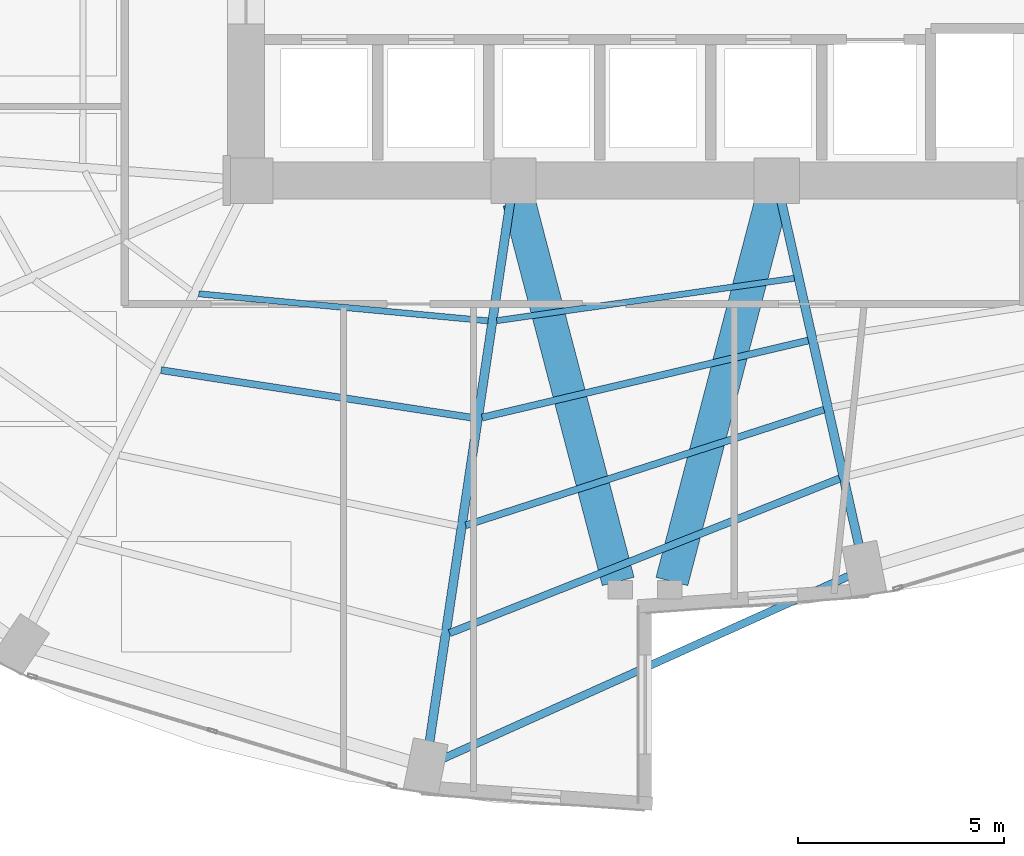
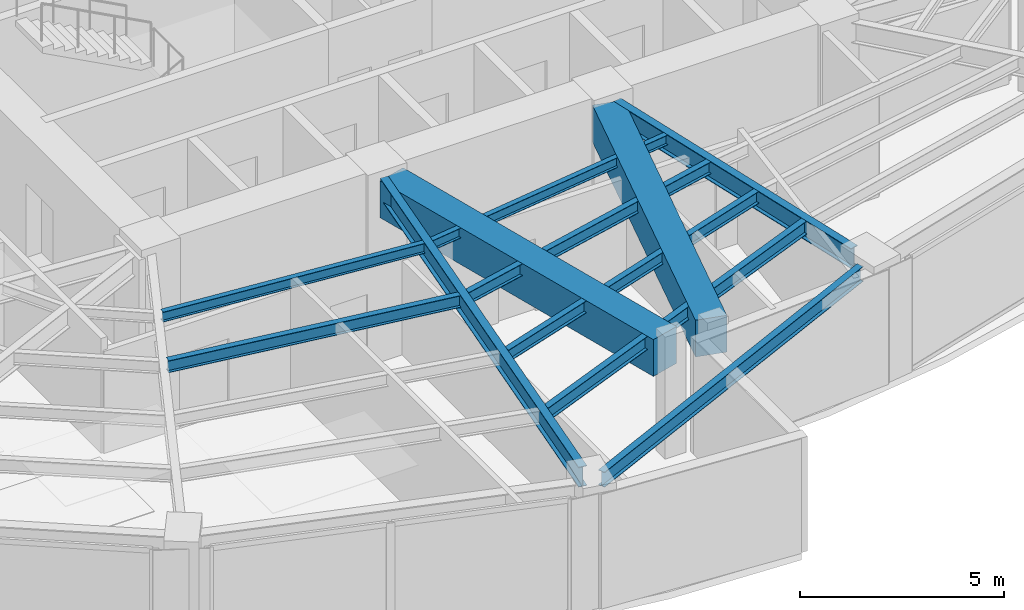
# One storey, part 6 of 24: 11 beams.
"""IFC4 building model written with IfcOpenShell, lengths in metres."""

from ifc_helpers import new_model, si_unit, direction, frame, origin, origin_2d, place, context, subcontext, project, spatial, rectangle, i_section, extrude, material, material_profile, profile_set, type_object, element, save


model = new_model("IFC4")

# Units and contexts
model_context = context("Model", 3, precision=1e-05, world=origin(), true_north=direction((0.0, 1.0)))
body_context = subcontext(model_context, "Body", "Model", "MODEL_VIEW")
ifc_project = project(units=[si_unit("LENGTHUNIT", "METRE"), si_unit("AREAUNIT", "SQUARE_METRE"), si_unit("VOLUMEUNIT", "CUBIC_METRE"), si_unit("PLANEANGLEUNIT", "RADIAN"), si_unit("MASSUNIT", "GRAM", prefix="KILO")], contexts=[model_context])

# Site, building, storey
site_placement = place(None, origin())
site = spatial("IfcSite", under=ifc_project, at=site_placement, CompositionType="ELEMENT")
building_placement = place(site_placement, origin())
building = spatial("IfcBuilding", under=site, at=building_placement, Name="Lazwardi Medical Tower", CompositionType="ELEMENT")
storey_placement = place(building_placement, frame((0.0, 0.0, 65.327880859375)))
storey = spatial("IfcBuildingStorey", under=building, at=storey_placement, Name="L16", CompositionType="ELEMENT", Elevation=65.327880859375)

# Beams
ifc_material_1 = material(Name="Concrete C70/85", Category="concrete")
ifc_material_profile_1 = material_profile(ifc_material_1, rectangle(XDim=0.800048828125, YDim=1.10009765625, at=origin_2d()), Name="RC 800x1100")
ifc_profile_set_1 = profile_set([ifc_material_profile_1], Name="Concrete C70/85")
beam_type_1 = type_object("IfcBeamType", Name="BM-CB-RC1", PredefinedType="LINTEL", material=ifc_profile_set_1)
for number, where, z_axis, x_axis, name in (
    (1, (32.935302734375, 19.88232421875, 2.878173828125), (0.252819877511, -0.967513364009, 0.0), (0.967513364009, 0.252819877511, 0.0), "Core coupling lintel CB-01 PL3 L16"),
    (2, (39.064697265625, 19.88232421875, 2.878173828125), (-0.252819877511, -0.967513364009, 0.0), (0.967513364009, -0.252819877511, 0.0), "Core coupling lintel CB-01 PL4 L16"),
):
    element("IfcBeam", number, at=place(storey_placement, frame(where, z_axis=z_axis, x_axis=x_axis)), inside=storey, type_object=beam_type_1, Name=name, PredefinedType="LINTEL", context=body_context, shape_type="SweptSolid", body=[
        extrude(rectangle(XDim=0.800048828125, YDim=1.10009765625, at=origin_2d()), origin(), (0.0, 0.0, 1.0), 9.538818359375),
    ])
ifc_material_2 = material(Name="Steel S355", Category="steel")
ifc_material_profile_2 = material_profile(ifc_material_2, i_section(OverallWidth=0.219970703125, OverallDepth=0.60009765625, WebThickness=0.011962890625, FlangeThickness=0.01904296875, at=origin_2d()), Name="IPE 600")
ifc_profile_set_2 = profile_set([ifc_material_profile_2], Name="Steel S355")
beam_type_2 = type_object("IfcBeamType", Name="BM-RG-W1", PredefinedType="BEAM", material=ifc_profile_set_2)
beam_1_placement = place(storey_placement, frame((41.203125, 11.521728515625, 3.128173828125), z_axis=(-0.22010079219, 0.975477135189, 0.0), x_axis=(-0.975477135189, -0.22010079219, 0.0)))
element("IfcBeam", 3, at=beam_1_placement, inside=storey, type_object=beam_type_2, Name="Radial girder RG-02 R01 L16", PredefinedType="BEAM", context=body_context, shape_type="SweptSolid", body=[
    extrude(i_section(OverallWidth=0.219970703125, OverallDepth=0.60009765625, WebThickness=0.011962890625, FlangeThickness=0.01904296875, at=origin_2d()), origin(), (0.0, 0.0, 1.0), 8.56640625),
])
beam_2_placement = place(storey_placement, frame((30.7548828125, 6.7294921875, 3.128173828125), z_axis=(0.147944218183, 0.98899570692, 0.0), x_axis=(-0.98899570692, 0.147944218183, 0.0)))
element("IfcBeam", 4, at=beam_2_placement, inside=storey, type_object=beam_type_2, Name="Radial girder RG-02 R16 L16", PredefinedType="BEAM", context=body_context, shape_type="SweptSolid", body=[
    extrude(i_section(OverallWidth=0.219970703125, OverallDepth=0.60009765625, WebThickness=0.011962890625, FlangeThickness=0.01904296875, at=origin_2d()), origin(), (0.0, 0.0, 1.0), 13.28759765625),
])
ifc_material_profile_3 = material_profile(ifc_material_2, i_section(OverallWidth=0.179931640625, OverallDepth=0.39990234375, WebThickness=0.008544921875, FlangeThickness=0.013427734375, at=origin_2d()), Name="IPE 400")
ifc_profile_set_3 = profile_set([ifc_material_profile_3], Name="Steel S355")
beam_type_3 = type_object("IfcBeamType", Name="BM-SJ-01", PredefinedType="JOIST", material=ifc_profile_set_3)
beam_3_placement = place(storey_placement, frame((31.245849609375, 9.396484375, 3.22802734375), z_axis=(0.929663713752, 0.368409255222, 0.0), x_axis=(-0.368409255222, 0.929663713752, 0.0)))
element("IfcBeam", 5, at=beam_3_placement, inside=storey, type_object=beam_type_3, Name="Secondary joist SJ-01 R1 B16 L16", PredefinedType="JOIST", context=body_context, shape_type="SweptSolid", body=[
    extrude(i_section(OverallWidth=0.179931640625, OverallDepth=0.39990234375, WebThickness=0.008544921875, FlangeThickness=0.013427734375, at=origin_2d()), origin(), (0.0, 0.0, 1.0), 10.2001953125),
])
ifc_material_profile_4 = material_profile(ifc_material_2, i_section(OverallWidth=0.169921875, OverallDepth=0.360107421875, WebThickness=0.008056640625, FlangeThickness=0.0126953125, at=origin_2d()), Name="IPE 360")
ifc_profile_set_4 = profile_set([ifc_material_profile_4], Name="Steel S355")
beam_type_4 = type_object("IfcBeamType", Name="BM-SJ-02", PredefinedType="JOIST", material=ifc_profile_set_4)
beam_4_placement = place(storey_placement, frame((31.64111328125, 12.018310546875, 3.248046875), z_axis=(0.951558895485, 0.307466532199, 0.0), x_axis=(-0.307466532199, 0.951558895485, 0.0)))
element("IfcBeam", 6, at=beam_4_placement, inside=storey, type_object=beam_type_4, Name="Secondary joist SJ-02 R2 B16 L16", PredefinedType="JOIST", context=body_context, shape_type="SweptSolid", body=[
    extrude(i_section(OverallWidth=0.169921875, OverallDepth=0.360107421875, WebThickness=0.008056640625, FlangeThickness=0.0126953125, at=origin_2d()), origin(), (0.0, 0.0, 1.0), 9.1513671875),
])
beam_5_placement = place(storey_placement, frame((24.23193359375, 15.790771484375, 3.248046875), z_axis=(0.988535611365, -0.150987897074, 0.0), x_axis=(0.150987897074, 0.988535611365, 0.0)))
element("IfcBeam", 7, at=beam_5_placement, inside=storey, type_object=beam_type_4, Name="Secondary joist SJ-02 R3 B15 L16", PredefinedType="JOIST", context=body_context, shape_type="SweptSolid", body=[
    extrude(i_section(OverallWidth=0.169921875, OverallDepth=0.360107421875, WebThickness=0.008056640625, FlangeThickness=0.0126953125, at=origin_2d()), origin(), (0.0, 0.0, 1.0), 7.68701171875),
])
beam_6_placement = place(storey_placement, frame((32.03662109375, 14.638427734375, 3.248046875), z_axis=(0.973240904247, 0.229787167397, 0.0), x_axis=(-0.229787167397, 0.973240904247, 0.0)))
element("IfcBeam", 8, at=beam_6_placement, inside=storey, type_object=beam_type_4, Name="Secondary joist SJ-02 R3 B16 L16", PredefinedType="JOIST", context=body_context, shape_type="SweptSolid", body=[
    extrude(i_section(OverallWidth=0.169921875, OverallDepth=0.360107421875, WebThickness=0.008056640625, FlangeThickness=0.0126953125, at=origin_2d()), origin(), (0.0, 0.0, 1.0), 8.151123046875),
])
ifc_material_profile_5 = material_profile(ifc_material_2, i_section(OverallWidth=0.14990234375, OverallDepth=0.300048828125, WebThickness=0.007080078125, FlangeThickness=0.0107421875, at=origin_2d()), Name="IPE 300")
ifc_profile_set_5 = profile_set([ifc_material_profile_5], Name="Steel S355")
beam_type_5 = type_object("IfcBeamType", Name="BM-SJ-03", PredefinedType="JOIST", material=ifc_profile_set_5)
beam_7_placement = place(storey_placement, frame((25.148193359375, 17.64794921875, 3.278076171875), z_axis=(0.995649263748, -0.093180167407, 0.0), x_axis=(0.093180167407, 0.995649263748, 0.0)))
element("IfcBeam", 9, at=beam_7_placement, inside=storey, type_object=beam_type_5, Name="Secondary joist SJ-03 R4 B15 L16", PredefinedType="JOIST", context=body_context, shape_type="SweptSolid", body=[
    extrude(i_section(OverallWidth=0.14990234375, OverallDepth=0.300048828125, WebThickness=0.007080078125, FlangeThickness=0.0107421875, at=origin_2d()), origin(), (0.0, 0.0, 1.0), 7.06640625),
])
beam_8_placement = place(storey_placement, frame((32.392333984375, 16.99462890625, 3.278076171875), z_axis=(0.99001552228, 0.140958382672, 0.0), x_axis=(-0.140958382672, 0.99001552228, 0.0)))
element("IfcBeam", 10, at=beam_8_placement, inside=storey, type_object=beam_type_5, Name="Secondary joist SJ-03 R4 B16 L16", PredefinedType="JOIST", context=body_context, shape_type="SweptSolid", body=[
    extrude(i_section(OverallWidth=0.14990234375, OverallDepth=0.300048828125, WebThickness=0.007080078125, FlangeThickness=0.0107421875, at=origin_2d()), origin(), (0.0, 0.0, 1.0), 7.30908203125),
])
ifc_material_profile_6 = material_profile(ifc_material_2, i_section(OverallWidth=0.18994140625, OverallDepth=0.449951171875, WebThickness=0.009521484375, FlangeThickness=0.0146484375, at=origin_2d()), Name="IPE 450")
ifc_profile_set_6 = profile_set([ifc_material_profile_6], Name="Steel S355")
beam_type_6 = type_object("IfcBeamType", Name="BM-SP-01", PredefinedType="SPANDREL", material=ifc_profile_set_6)
beam_9_placement = place(storey_placement, frame((31.05224609375, 6.328369140625, 3.203125), z_axis=(0.91184908894, 0.410525564368, 0.0), x_axis=(-0.410525564368, 0.91184908894, 0.0)))
element("IfcBeam", 11, at=beam_9_placement, inside=storey, type_object=beam_type_6, Name="Spandrel beam SP-01 B16 L16", PredefinedType="SPANDREL", context=body_context, shape_type="SweptSolid", body=[
    extrude(i_section(OverallWidth=0.18994140625, OverallDepth=0.449951171875, WebThickness=0.009521484375, FlangeThickness=0.0146484375, at=origin_2d()), origin(), (0.0, 0.0, 1.0), 10.85205078125),
])

save(model, "model.ifc")
